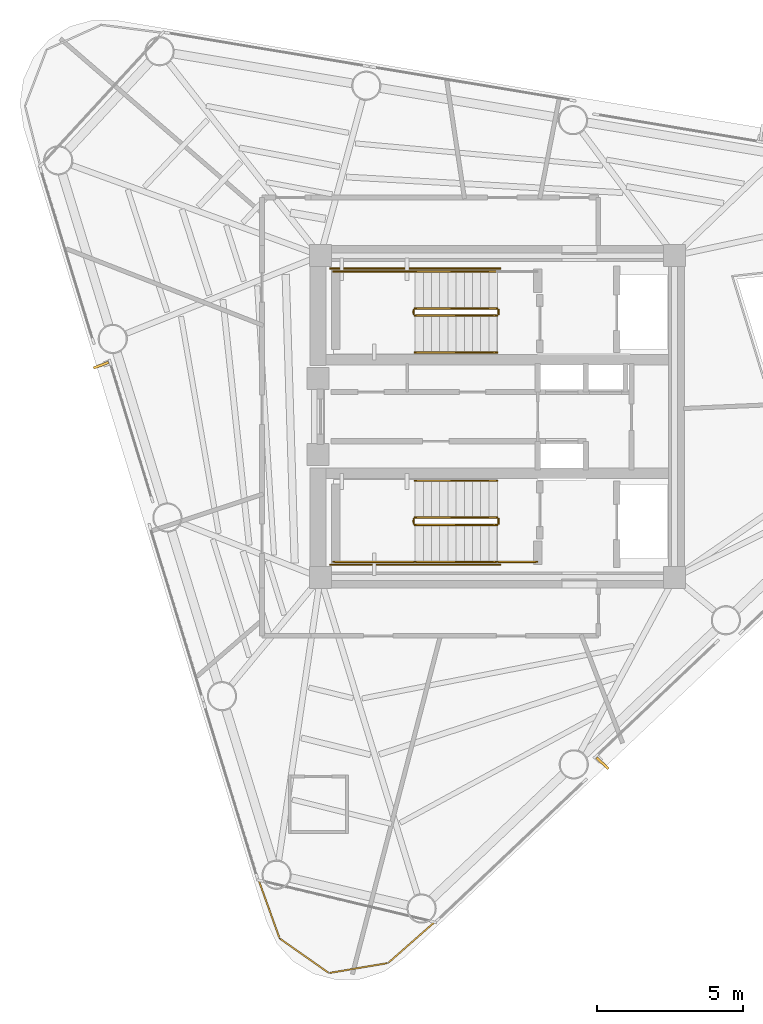
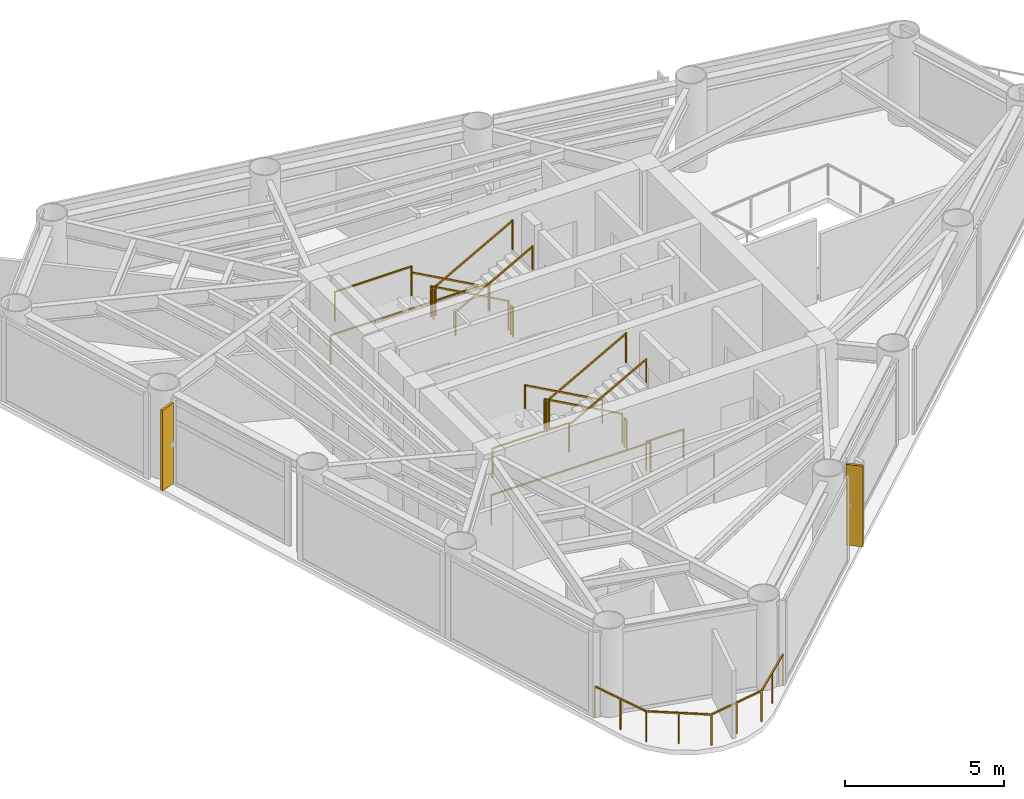
# One storey, part 7 of 8: 18 railings, 2 shading devices.
"""IFC4 building model written with IfcOpenShell, lengths in metres."""

from ifc_helpers import new_model, si_unit, direction, frame, origin, origin_2d, place, context, subcontext, project, spatial, rectangle, extrude, source, transform, mapped, material, material_profile, profile_set, type_object, element, save


model = new_model("IFC4")

# Units and contexts
model_context = context("Model", 3, precision=1e-05, world=origin(), true_north=direction((0.0, 1.0)))
body_context = subcontext(model_context, "Body", "Model", "MODEL_VIEW")
ifc_project = project(units=[si_unit("LENGTHUNIT", "METRE"), si_unit("AREAUNIT", "SQUARE_METRE"), si_unit("VOLUMEUNIT", "CUBIC_METRE"), si_unit("PLANEANGLEUNIT", "RADIAN"), si_unit("MASSUNIT", "GRAM", prefix="KILO")], contexts=[model_context])

# Site, building, storey
site_placement = place(None, origin())
site = spatial("IfcSite", under=ifc_project, at=site_placement, CompositionType="ELEMENT")
building_placement = place(site_placement, origin())
building = spatial("IfcBuilding", under=site, at=building_placement, Name="Yunling Apex Tower", CompositionType="ELEMENT")
storey_placement = place(building_placement, frame((0.0, 0.0, 242.25)))
storey = spatial("IfcBuildingStorey", under=building, at=storey_placement, Name="L59", CompositionType="ELEMENT", Elevation=242.25)

# Railings
ifc_material_1 = material(Name="Bronze anodised aluminium", Category="aluminium")
railing_type_1 = type_object("IfcRailingType", Name="RL-BAL-1200", PredefinedType="BALUSTRADE", material=ifc_material_1)
railing_1_placement = place(storey_placement, frame((-2.147216796875, -17.2724609375, 0.0)))
element("IfcRailing", 1, at=railing_1_placement, inside=storey, type_object=railing_type_1, Name="RL-CRNSILL-L59-3", PredefinedType="BALUSTRADE", context=body_context, shape_type="SweptSolid", body=[
    extrude(rectangle(XDim=0.0439453125, YDim=0.0439453125, at=origin_2d()), origin(), (0.0, 0.0, 1.0), 1.199951171875),
    extrude(rectangle(XDim=0.0439453125, YDim=0.0439453125, at=origin_2d()), frame((-1.58740234375, -1.396728515625, 0.0)), (0.0, 0.0, 1.0), 1.199951171875),
    extrude(rectangle(XDim=0.050048828125, YDim=0.050048828125, at=origin_2d()), frame((-0.02880859375, -0.025390625, 1.1748046875), z_axis=(-0.750757036125, -0.660578437968, 0.0), x_axis=(0.660578437968, -0.750757036125, 0.0)), (0.0, 0.0, 1.0), 2.037841796875),
    extrude(rectangle(XDim=0.0439453125, YDim=0.0439453125, at=origin_2d()), frame((-0.793701171875, -0.6982421875, 0.0)), (0.0, 0.0, 1.0), 1.14599609375),
    extrude(rectangle(XDim=0.0439453125, YDim=0.0439453125, at=origin_2d()), frame((-3.609130859375, -1.738525390625, 0.0)), (0.0, 0.0, 1.0), 1.199951171875),
    extrude(rectangle(XDim=0.050048828125, YDim=0.050048828125, at=origin_2d()), frame((-1.625244140625, -1.403076171875, 1.1748046875), z_axis=(-0.986008296857, -0.166696246299, 0.0), x_axis=(0.166696246299, -0.986008296857, 0.0)), (0.0, 0.0, 1.0), 1.973876953125),
    extrude(rectangle(XDim=0.0439453125, YDim=0.0439453125, at=origin_2d()), frame((-2.59814453125, -1.567626953125, 0.0)), (0.0, 0.0, 1.0), 1.14599609375),
    extrude(rectangle(XDim=0.0439453125, YDim=0.0439453125, at=origin_2d()), frame((-5.29296875, -0.556884765625, 0.0)), (0.0, 0.0, 1.0), 1.199951171875),
    extrude(rectangle(XDim=0.050048828125, YDim=0.050048828125, at=origin_2d()), frame((-3.640625, -1.716552734375, 1.1748046875), z_axis=(-0.818556692462, 0.574425749096, 0.0), x_axis=(-0.574425749096, -0.818556692462, 0.0)), (0.0, 0.0, 1.0), 1.98046875),
    extrude(rectangle(XDim=0.0439453125, YDim=0.0439453125, at=origin_2d()), frame((-4.451171875, -1.147705078125, 0.0)), (0.0, 0.0, 1.0), 1.14599609375),
    extrude(rectangle(XDim=0.0439453125, YDim=0.0439453125, at=origin_2d()), frame((-6.0087890625, 1.431884765625, 0.0)), (0.0, 0.0, 1.0), 1.199951171875),
    extrude(rectangle(XDim=0.050048828125, YDim=0.050048828125, at=origin_2d()), frame((-5.305908203125, -0.520751953125, 1.1748046875), z_axis=(-0.338662205699, 0.940908024427, 0.0), x_axis=(-0.940908024427, -0.338662205699, 0.0)), (0.0, 0.0, 1.0), 2.037109375),
    extrude(rectangle(XDim=0.0439453125, YDim=0.0439453125, at=origin_2d()), frame((-5.65087890625, 0.4375, 0.0)), (0.0, 0.0, 1.0), 1.14599609375),
])
ifc_material_2 = material(Name="Steel Q355B", Category="steel")
railing_type_2 = type_object("IfcRailingType", Name="RL-GRD-1150", PredefinedType="GUARDRAIL", material=ifc_material_2)
railing_2_placement = place(storey_placement, frame((-0.010009765625, 3.699951171875, 0.154541015625)))
element("IfcRailing", 2, at=railing_2_placement, inside=storey, type_object=railing_type_2, Name="L59 ST-1 stair guard 1", PredefinedType="GUARDRAIL", context=body_context, shape_type="SweptSolid", body=[
    extrude(rectangle(XDim=0.0439453125, YDim=0.0439453125, at=origin_2d()), origin(), (0.0, 0.0, 1.0), 1.14990234375),
    extrude(rectangle(XDim=0.0439453125, YDim=0.0439453125, at=origin_2d()), frame((-2.800048828125, 0.0, 1.54541015625)), (0.0, 0.0, 1.0), 1.14990234375),
    extrude(rectangle(XDim=0.050048828125, YDim=0.050048828125, at=origin_2d()), frame((-0.033447265625, 0.0, 1.143310546875), z_axis=(-0.875504190374, 0.0, 0.483210526207), x_axis=(0.0, -1.0, 0.0)), (0.0, 0.0, 1.0), 3.12158203125),
])
railing_3_placement = place(storey_placement, frame((-2.860107421875, 3.64990234375, 1.699951171875)))
element("IfcRailing", 3, at=railing_3_placement, inside=storey, type_object=railing_type_2, Name="L59 ST-1 stair guard 2", PredefinedType="GUARDRAIL", context=body_context, shape_type="SweptSolid", body=[
    extrude(rectangle(XDim=0.0439453125, YDim=0.0439453125, at=origin_2d()), origin(), (0.0, 0.0, 1.0), 1.14990234375),
    extrude(rectangle(XDim=0.0439453125, YDim=0.0439453125, at=origin_2d()), frame((0.0, -0.14990234375, 0.0)), (0.0, 0.0, 1.0), 1.14990234375),
    extrude(rectangle(XDim=0.050048828125, YDim=0.050048828125, at=origin_2d()), frame((0.0, -0.038330078125, 1.125), z_axis=(0.0, -1.0, 0.0), x_axis=(1.0, 0.0, 0.0)), (0.0, 0.0, 1.0), 0.0732421875),
])
railing_4_placement = place(storey_placement, frame((-2.81005859375, 4.9599609375, 1.699951171875)))
element("IfcRailing", 4, at=railing_4_placement, inside=storey, type_object=railing_type_2, Name="L59 ST-1 stair guard 3", PredefinedType="GUARDRAIL", context=body_context, shape_type="SweptSolid", body=[
    extrude(rectangle(XDim=0.0439453125, YDim=0.0439453125, at=origin_2d()), origin(), (0.0, 0.0, 1.0), 1.14990234375),
    extrude(rectangle(XDim=0.0439453125, YDim=0.0439453125, at=origin_2d()), frame((-2.7900390625, 0.0, 0.0)), (0.0, 0.0, 1.0), 1.14990234375),
    extrude(rectangle(XDim=0.050048828125, YDim=0.050048828125, at=origin_2d()), frame((-0.038330078125, 0.0, 1.125), z_axis=(-1.0, 0.0, 0.0), x_axis=(0.0, -1.0, 0.0)), (0.0, 0.0, 1.0), 2.71337890625),
])
railing_5_placement = place(storey_placement, frame((-2.81005859375, 3.449951171875, 1.8544921875)))
element("IfcRailing", 5, at=railing_5_placement, inside=storey, type_object=railing_type_2, Name="L59 ST-1 stair guard 4", PredefinedType="GUARDRAIL", context=body_context, shape_type="SweptSolid", body=[
    extrude(rectangle(XDim=0.0439453125, YDim=0.0439453125, at=origin_2d()), origin(), (0.0, 0.0, 1.0), 1.14990234375),
    extrude(rectangle(XDim=0.0439453125, YDim=0.0439453125, at=origin_2d()), frame((2.800048828125, 0.0, 1.54541015625)), (0.0, 0.0, 1.0), 1.14990234375),
    extrude(rectangle(XDim=0.050048828125, YDim=0.050048828125, at=origin_2d()), frame((0.033447265625, 0.0, 1.143310546875), z_axis=(0.875504190374, 0.0, 0.483210526207), x_axis=(0.0, 1.0, 0.0)), (0.0, 0.0, 1.0), 3.12158203125),
])
railing_6_placement = place(storey_placement, frame((0.0400390625, 3.64990234375, 0.0)))
element("IfcRailing", 6, at=railing_6_placement, inside=storey, type_object=railing_type_2, Name="L59 ST-1 stair guard 5", PredefinedType="GUARDRAIL", context=body_context, shape_type="SweptSolid", body=[
    extrude(rectangle(XDim=0.0439453125, YDim=0.0439453125, at=origin_2d()), origin(), (0.0, 0.0, 1.0), 1.14990234375),
    extrude(rectangle(XDim=0.0439453125, YDim=0.0439453125, at=origin_2d()), frame((0.0, -0.14990234375, 0.0)), (0.0, 0.0, 1.0), 1.14990234375),
    extrude(rectangle(XDim=0.050048828125, YDim=0.050048828125, at=origin_2d()), frame((0.0, -0.038330078125, 1.125), z_axis=(0.0, -1.0, 0.0), x_axis=(1.0, 0.0, 0.0)), (0.0, 0.0, 1.0), 0.0732421875),
])
railing_7_placement = place(storey_placement, frame((0.090087890625, 5.06005859375, 0.0)))
element("IfcRailing", 7, at=railing_7_placement, inside=storey, type_object=railing_type_2, Name="L59 ST-1 stair guard 7", PredefinedType="GUARDRAIL", context=body_context, shape_type="SweptSolid", body=[
    extrude(rectangle(XDim=0.0439453125, YDim=0.0439453125, at=origin_2d()), origin(), (0.0, 0.0, 1.0), 1.14990234375),
    extrude(rectangle(XDim=0.0439453125, YDim=0.0439453125, at=origin_2d()), frame((-5.7900390625, 0.0, 0.0)), (0.0, 0.0, 1.0), 1.14990234375),
    extrude(rectangle(XDim=0.050048828125, YDim=0.050048828125, at=origin_2d()), frame((-0.038330078125, 0.0, 1.125), z_axis=(-1.0, 0.0, 0.0), x_axis=(0.0, -1.0, 0.0)), (0.0, 0.0, 1.0), 5.71337890625),
])
railing_8_placement = place(storey_placement, frame((-0.010009765625, -3.449951171875, 0.154541015625)))
element("IfcRailing", 8, at=railing_8_placement, inside=storey, type_object=railing_type_2, Name="L59 ST-2 stair guard 1", PredefinedType="GUARDRAIL", context=body_context, shape_type="SweptSolid", body=[
    extrude(rectangle(XDim=0.0439453125, YDim=0.0439453125, at=origin_2d()), origin(), (0.0, 0.0, 1.0), 1.14990234375),
    extrude(rectangle(XDim=0.0439453125, YDim=0.0439453125, at=origin_2d()), frame((-2.800048828125, 0.0, 1.54541015625)), (0.0, 0.0, 1.0), 1.14990234375),
    extrude(rectangle(XDim=0.050048828125, YDim=0.050048828125, at=origin_2d()), frame((-0.033447265625, 0.0, 1.143310546875), z_axis=(-0.875504190374, 0.0, 0.483210526207), x_axis=(0.0, -1.0, 0.0)), (0.0, 0.0, 1.0), 3.12158203125),
])
railing_9_placement = place(storey_placement, frame((-2.860107421875, -3.5, 1.699951171875)))
element("IfcRailing", 9, at=railing_9_placement, inside=storey, type_object=railing_type_2, Name="L59 ST-2 stair guard 2", PredefinedType="GUARDRAIL", context=body_context, shape_type="SweptSolid", body=[
    extrude(rectangle(XDim=0.0439453125, YDim=0.0439453125, at=origin_2d()), origin(), (0.0, 0.0, 1.0), 1.14990234375),
    extrude(rectangle(XDim=0.0439453125, YDim=0.0439453125, at=origin_2d()), frame((0.0, -0.14990234375, 0.0)), (0.0, 0.0, 1.0), 1.14990234375),
    extrude(rectangle(XDim=0.050048828125, YDim=0.050048828125, at=origin_2d()), frame((0.0, -0.038330078125, 1.125), z_axis=(0.0, -1.0, 0.0), x_axis=(1.0, 0.0, 0.0)), (0.0, 0.0, 1.0), 0.0732421875),
])
railing_10_placement = place(storey_placement, frame((-2.81005859375, -4.9599609375, 1.699951171875)))
element("IfcRailing", 10, at=railing_10_placement, inside=storey, type_object=railing_type_2, Name="L59 ST-2 stair guard 3", PredefinedType="GUARDRAIL", context=body_context, shape_type="SweptSolid", body=[
    extrude(rectangle(XDim=0.0439453125, YDim=0.0439453125, at=origin_2d()), origin(), (0.0, 0.0, 1.0), 1.14990234375),
    extrude(rectangle(XDim=0.0439453125, YDim=0.0439453125, at=origin_2d()), frame((-2.7900390625, 0.0, 0.0)), (0.0, 0.0, 1.0), 1.14990234375),
    extrude(rectangle(XDim=0.050048828125, YDim=0.050048828125, at=origin_2d()), frame((-0.038330078125, 0.0, 1.125), z_axis=(-1.0, 0.0, 0.0), x_axis=(0.0, -1.0, 0.0)), (0.0, 0.0, 1.0), 2.71337890625),
])
railing_11_placement = place(storey_placement, frame((-2.81005859375, -3.699951171875, 1.8544921875)))
element("IfcRailing", 11, at=railing_11_placement, inside=storey, type_object=railing_type_2, Name="L59 ST-2 stair guard 4", PredefinedType="GUARDRAIL", context=body_context, shape_type="SweptSolid", body=[
    extrude(rectangle(XDim=0.0439453125, YDim=0.0439453125, at=origin_2d()), origin(), (0.0, 0.0, 1.0), 1.14990234375),
    extrude(rectangle(XDim=0.0439453125, YDim=0.0439453125, at=origin_2d()), frame((2.800048828125, 0.0, 1.54541015625)), (0.0, 0.0, 1.0), 1.14990234375),
    extrude(rectangle(XDim=0.050048828125, YDim=0.050048828125, at=origin_2d()), frame((0.033447265625, 0.0, 1.143310546875), z_axis=(0.875504190374, 0.0, 0.483210526207), x_axis=(0.0, 1.0, 0.0)), (0.0, 0.0, 1.0), 3.12158203125),
])
railing_12_placement = place(storey_placement, frame((0.0400390625, -3.5, 0.0)))
element("IfcRailing", 12, at=railing_12_placement, inside=storey, type_object=railing_type_2, Name="L59 ST-2 stair guard 5", PredefinedType="GUARDRAIL", context=body_context, shape_type="SweptSolid", body=[
    extrude(rectangle(XDim=0.0439453125, YDim=0.0439453125, at=origin_2d()), origin(), (0.0, 0.0, 1.0), 1.14990234375),
    extrude(rectangle(XDim=0.0439453125, YDim=0.0439453125, at=origin_2d()), frame((0.0, -0.14990234375, 0.0)), (0.0, 0.0, 1.0), 1.14990234375),
    extrude(rectangle(XDim=0.050048828125, YDim=0.050048828125, at=origin_2d()), frame((0.0, -0.038330078125, 1.125), z_axis=(0.0, -1.0, 0.0), x_axis=(1.0, 0.0, 0.0)), (0.0, 0.0, 1.0), 0.0732421875),
])
railing_13_placement = place(storey_placement, frame((1.35009765625, -4.9599609375, 0.0)))
element("IfcRailing", 13, at=railing_13_placement, inside=storey, type_object=railing_type_2, Name="L59 ST-2 stair guard 6", PredefinedType="GUARDRAIL", context=body_context, shape_type="SweptSolid", body=[
    extrude(rectangle(XDim=0.0439453125, YDim=0.0439453125, at=origin_2d()), origin(), (0.0, 0.0, 1.0), 1.14990234375),
    extrude(rectangle(XDim=0.0439453125, YDim=0.0439453125, at=origin_2d()), frame((-1.360107421875, 0.0, 0.0)), (0.0, 0.0, 1.0), 1.14990234375),
    extrude(rectangle(XDim=0.050048828125, YDim=0.050048828125, at=origin_2d()), frame((-0.038330078125, 0.0, 1.125), z_axis=(-1.0, 0.0, 0.0), x_axis=(0.0, -1.0, 0.0)), (0.0, 0.0, 1.0), 1.283447265625),
])
railing_14_placement = place(storey_placement, frame((0.090087890625, -5.06005859375, 0.0)))
element("IfcRailing", 14, at=railing_14_placement, inside=storey, type_object=railing_type_2, Name="L59 ST-2 stair guard 7", PredefinedType="GUARDRAIL", context=body_context, shape_type="SweptSolid", body=[
    extrude(rectangle(XDim=0.0439453125, YDim=0.0439453125, at=origin_2d()), origin(), (0.0, 0.0, 1.0), 1.14990234375),
    extrude(rectangle(XDim=0.0439453125, YDim=0.0439453125, at=origin_2d()), frame((-5.7900390625, 0.0, 0.0)), (0.0, 0.0, 1.0), 1.14990234375),
    extrude(rectangle(XDim=0.050048828125, YDim=0.050048828125, at=origin_2d()), frame((-0.038330078125, 0.0, 1.125), z_axis=(-1.0, 0.0, 0.0), x_axis=(0.0, -1.0, 0.0)), (0.0, 0.0, 1.0), 5.71337890625),
])
ifc_material_3 = material(Name="Silver anodised aluminium", Category="aluminium")
railing_type_3 = type_object("IfcRailingType", Name="RL-HND-900", PredefinedType="HANDRAIL", material=ifc_material_3)
railing_15_placement = place(storey_placement, frame((-0.010009765625, 4.9599609375, 0.154541015625)))
element("IfcRailing", 15, at=railing_15_placement, inside=storey, type_object=railing_type_3, Name="L59 ST-1 stair handrail 1", PredefinedType="HANDRAIL", context=body_context, shape_type="SweptSolid", body=[
    extrude(rectangle(XDim=0.0439453125, YDim=0.0439453125, at=origin_2d()), origin(), (0.0, 0.0, 1.0), 0.919921875),
    extrude(rectangle(XDim=0.0439453125, YDim=0.0439453125, at=origin_2d()), frame((-2.800048828125, 0.0, 1.54541015625)), (0.0, 0.0, 1.0), 0.919921875),
    extrude(rectangle(XDim=0.050048828125, YDim=0.050048828125, at=origin_2d()), frame((-0.033447265625, 0.0, 0.913330078125), z_axis=(-0.875504190374, 0.0, 0.483210526207), x_axis=(0.0, -1.0, 0.0)), (0.0, 0.0, 1.0), 3.12158203125),
])
railing_16_placement = place(storey_placement, frame((-2.81005859375, 2.18994140625, 1.8544921875)))
element("IfcRailing", 16, at=railing_16_placement, inside=storey, type_object=railing_type_3, Name="L59 ST-1 stair handrail 2", PredefinedType="HANDRAIL", context=body_context, shape_type="SweptSolid", body=[
    extrude(rectangle(XDim=0.0439453125, YDim=0.0439453125, at=origin_2d()), origin(), (0.0, 0.0, 1.0), 0.919921875),
    extrude(rectangle(XDim=0.0439453125, YDim=0.0439453125, at=origin_2d()), frame((2.800048828125, 0.0, 1.54541015625)), (0.0, 0.0, 1.0), 0.919921875),
    extrude(rectangle(XDim=0.050048828125, YDim=0.050048828125, at=origin_2d()), frame((0.033447265625, 0.0, 0.913330078125), z_axis=(0.875504190374, 0.0, 0.483210526207), x_axis=(0.0, 1.0, 0.0)), (0.0, 0.0, 1.0), 3.12158203125),
])
railing_17_placement = place(storey_placement, frame((-0.010009765625, -2.18994140625, 0.154541015625)))
element("IfcRailing", 17, at=railing_17_placement, inside=storey, type_object=railing_type_3, Name="L59 ST-2 stair handrail 1", PredefinedType="HANDRAIL", context=body_context, shape_type="SweptSolid", body=[
    extrude(rectangle(XDim=0.0439453125, YDim=0.0439453125, at=origin_2d()), origin(), (0.0, 0.0, 1.0), 0.919921875),
    extrude(rectangle(XDim=0.0439453125, YDim=0.0439453125, at=origin_2d()), frame((-2.800048828125, 0.0, 1.54541015625)), (0.0, 0.0, 1.0), 0.919921875),
    extrude(rectangle(XDim=0.050048828125, YDim=0.050048828125, at=origin_2d()), frame((-0.033447265625, 0.0, 0.913330078125), z_axis=(-0.875504190374, 0.0, 0.483210526207), x_axis=(0.0, -1.0, 0.0)), (0.0, 0.0, 1.0), 3.12158203125),
])
railing_18_placement = place(storey_placement, frame((-2.81005859375, -4.9599609375, 1.8544921875)))
element("IfcRailing", 18, at=railing_18_placement, inside=storey, type_object=railing_type_3, Name="L59 ST-2 stair handrail 2", PredefinedType="HANDRAIL", context=body_context, shape_type="SweptSolid", body=[
    extrude(rectangle(XDim=0.0439453125, YDim=0.0439453125, at=origin_2d()), origin(), (0.0, 0.0, 1.0), 0.919921875),
    extrude(rectangle(XDim=0.0439453125, YDim=0.0439453125, at=origin_2d()), frame((2.800048828125, 0.0, 1.54541015625)), (0.0, 0.0, 1.0), 0.919921875),
    extrude(rectangle(XDim=0.050048828125, YDim=0.050048828125, at=origin_2d()), frame((0.033447265625, 0.0, 0.913330078125), z_axis=(0.875504190374, 0.0, 0.483210526207), x_axis=(0.0, 1.0, 0.0)), (0.0, 0.0, 1.0), 3.12158203125),
])

# Shading devices
ifc_material_profile = material_profile(ifc_material_1, rectangle(XDim=0.0849609375, YDim=0.550048828125, at=origin_2d()))
ifc_profile_set = profile_set([ifc_material_profile], Name="Bronze anodised aluminium")
shading_device_type = type_object("IfcShadingDeviceType", Name="FN-BRZ-3", PredefinedType="USERDEFINED", material=ifc_profile_set)
shared_shape = source(origin(), body_context, "Body", "SweptSolid", [
    extrude(rectangle(XDim=0.0849609375, YDim=0.550048828125, at=origin_2d()), origin(), (0.0, 0.0, 1.0), 3.10009765625),
])
for number, where, z_axis, x_axis, name in (
    (19, (3.591552734375, -11.841064453125, 0.06005859375), (0.0, 0.0, 1.0), (0.679313233894, 0.733848438205, 0.0), "CW-L59-F1-B2-FIN-01"),
    (20, (-13.5419921875, 1.759521484375, 0.06005859375), (0.0, 0.0, 1.0), (0.354291037998, -0.935135209686, 0.0), "CW-L59-F3-B2-FIN-01"),
):
    element("IfcShadingDevice", number, at=place(storey_placement, frame(where, z_axis=z_axis, x_axis=x_axis)), inside=storey, type_object=shading_device_type, Name=name, ObjectType="FIN", PredefinedType="USERDEFINED", context=body_context, shape_type="MappedRepresentation", body=[
        mapped(shared_shape, transform((0.0, 0.0, 0.0), scale=1.0)),
    ])

save(model, "model.ifc")
